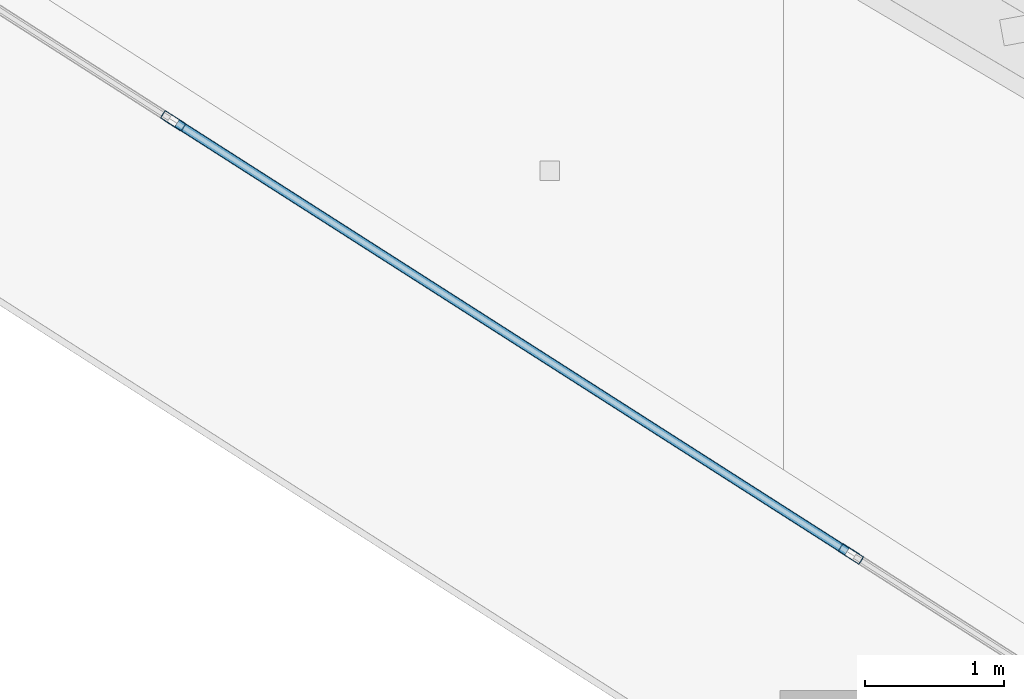
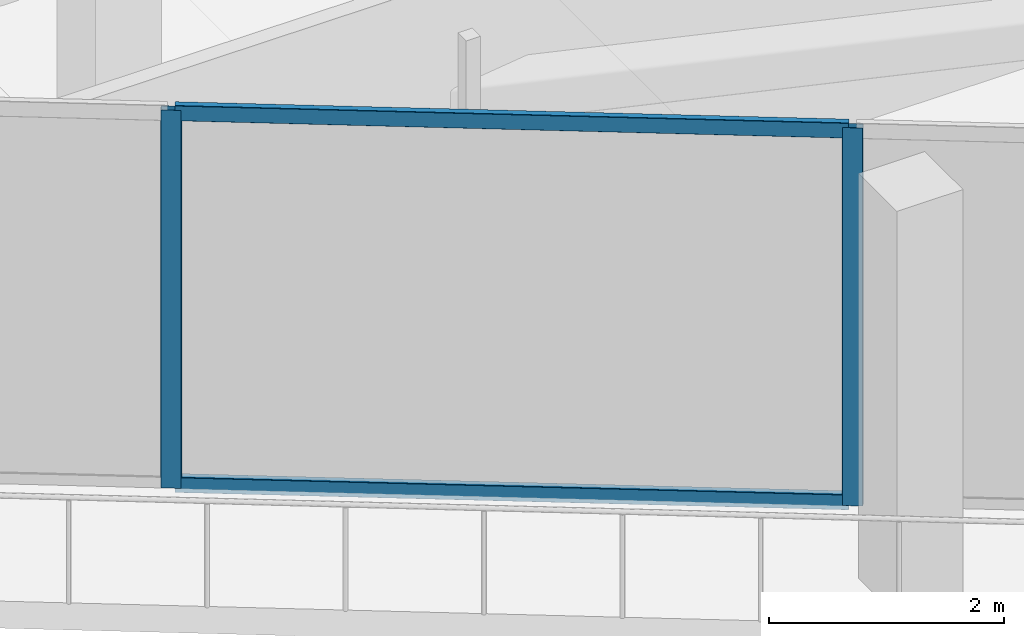
# One storey, part 3 of 52: 4 members, 1 element without a shape of its own.
"""IFC4 building model written with IfcOpenShell, lengths in metres."""

from ifc_helpers import new_model, si_unit, direction, frame, origin, origin_2d, place, context, subcontext, project, spatial, hollow_rectangle, extrude, material, layer, layer_set, material_profile, profile_set, type_object, element, aggregate, save


model = new_model("IFC4")

# Units and contexts
model_context = context("Model", 3, precision=1e-05, world=origin(), true_north=direction((0.0, 1.0)))
body_context = subcontext(model_context, "Body", "Model", "MODEL_VIEW")
ifc_project = project(units=[si_unit("LENGTHUNIT", "METRE"), si_unit("AREAUNIT", "SQUARE_METRE"), si_unit("VOLUMEUNIT", "CUBIC_METRE"), si_unit("PLANEANGLEUNIT", "RADIAN"), si_unit("MASSUNIT", "GRAM", prefix="KILO")], contexts=[model_context])

# Site, building, storey
site_placement = place(None, origin())
site = spatial("IfcSite", under=ifc_project, at=site_placement, CompositionType="ELEMENT")
building_placement = place(site_placement, origin())
building = spatial("IfcBuilding", under=site, at=building_placement, Name="Qorvath Tower", CompositionType="ELEMENT")
storey_placement = place(building_placement, frame((0.0, 0.0, 61.800048828125)))
storey = spatial("IfcBuildingStorey", under=building, at=storey_placement, Name="L13", CompositionType="ELEMENT", Elevation=61.800048828125)

# Curtain wall, members
ifc_material_1 = material(Name="Anodised aluminium and triple low-E glass", Category="aluminium")
ifc_layer = layer(ifc_material_1, 0.179931640625)
ifc_layer_set = layer_set([ifc_layer], Name="CW-SYS-2")
curtain_wall_type = type_object("IfcCurtainWallType", Name="CW-SYS-2", PredefinedType="NOTDEFINED", material=ifc_layer_set)
curtain_wall_placement = place(storey_placement, origin())
curtain_wall = element("IfcCurtainWall", 1, at=curtain_wall_placement, inside=storey, type_object=curtain_wall_type, Name="Curtain Wall CW-2 CW-T-L13-2.1", PredefinedType="NOTDEFINED")
ifc_material_2 = material(Name="Anodised aluminium 6063-T6", Category="aluminium")
ifc_material_profile_1 = material_profile(ifc_material_2, hollow_rectangle(XDim=0.06494140625, YDim=0.179931640625, WallThickness=0.00341796875, InnerFilletRadius=0.00341796875, OuterFilletRadius=0.007080078125, at=origin_2d()), Name="CWM 180x65")
ifc_profile_set_1 = profile_set([ifc_material_profile_1], Name="Anodised aluminium 6063-T6")
member_type_1 = type_object("IfcMemberType", Name="CWM-180", PredefinedType="MULLION", material=ifc_profile_set_1)
member_1_placement = place(storey_placement, frame((-50.233154296875, -10.344482421875, 0.0), z_axis=(0.0, 0.0, 1.0), x_axis=(0.53852960651, 0.842606588458, 0.0)))
member_1 = element("IfcMember", 2, at=member_1_placement, type_object=member_type_1, Name="CW-2 mullion 3", PredefinedType="MULLION", context=body_context, shape_type="SweptSolid", body=[
    extrude(hollow_rectangle(XDim=0.06494140625, YDim=0.179931640625, WallThickness=0.00341796875, InnerFilletRadius=0.00341796875, OuterFilletRadius=0.007080078125, at=origin_2d()), origin(), (0.0, 0.0, 1.0), 3.919921875),
])
member_2_placement = place(storey_placement, frame((-45.350341796875, -13.465087890625, 0.0), z_axis=(0.0, 0.0, 1.0), x_axis=(0.53852960651, 0.842606588458, 0.0)))
member_2 = element("IfcMember", 3, at=member_2_placement, type_object=member_type_1, Name="CW-2 mullion 4", PredefinedType="MULLION", context=body_context, shape_type="SweptSolid", body=[
    extrude(hollow_rectangle(XDim=0.06494140625, YDim=0.179931640625, WallThickness=0.00341796875, InnerFilletRadius=0.00341796875, OuterFilletRadius=0.007080078125, at=origin_2d()), origin(), (0.0, 0.0, 1.0), 3.919921875),
])
ifc_material_3 = material(Name="Anodised aluminium 6063-T6", Category="aluminium")
ifc_material_profile_2 = material_profile(ifc_material_3, hollow_rectangle(XDim=0.06494140625, YDim=0.159912109375, WallThickness=0.00341796875, InnerFilletRadius=0.00341796875, OuterFilletRadius=0.007080078125, at=origin_2d()), Name="CWT 160x65")
ifc_profile_set_2 = profile_set([ifc_material_profile_2], Name="Anodised aluminium 6063-T6")
member_type_2 = type_object("IfcMemberType", Name="CWT-160", PredefinedType="USERDEFINED", material=ifc_profile_set_2)
member_3_placement = place(storey_placement, frame((-50.20556640625, -10.362060546875, 0.032470703125), z_axis=(0.842607101895, -0.538528803163, 0.0), x_axis=(0.538528803163, 0.842607101895, 0.0)))
member_3 = element("IfcMember", 4, at=member_3_placement, type_object=member_type_2, Name="CW-2 transom 3.1", ObjectType="TRANSOM", PredefinedType="USERDEFINED", context=body_context, shape_type="SweptSolid", body=[
    extrude(hollow_rectangle(XDim=0.06494140625, YDim=0.159912109375, WallThickness=0.00341796875, InnerFilletRadius=0.00341796875, OuterFilletRadius=0.007080078125, at=origin_2d()), origin(), (0.0, 0.0, 1.0), 5.7294921875),
])
member_4_placement = place(storey_placement, frame((-50.20556640625, -10.362060546875, 3.887451171875), z_axis=(0.842607101895, -0.538528803163, 0.0), x_axis=(0.538528803163, 0.842607101895, 0.0)))
member_4 = element("IfcMember", 5, at=member_4_placement, type_object=member_type_2, Name="CW-2 transom 3.2", ObjectType="TRANSOM", PredefinedType="USERDEFINED", context=body_context, shape_type="SweptSolid", body=[
    extrude(hollow_rectangle(XDim=0.06494140625, YDim=0.159912109375, WallThickness=0.00341796875, InnerFilletRadius=0.00341796875, OuterFilletRadius=0.007080078125, at=origin_2d()), origin(), (0.0, 0.0, 1.0), 5.7294921875),
])
aggregate(curtain_wall, [member_1, member_2, member_3, member_4])

save(model, "model.ifc")
